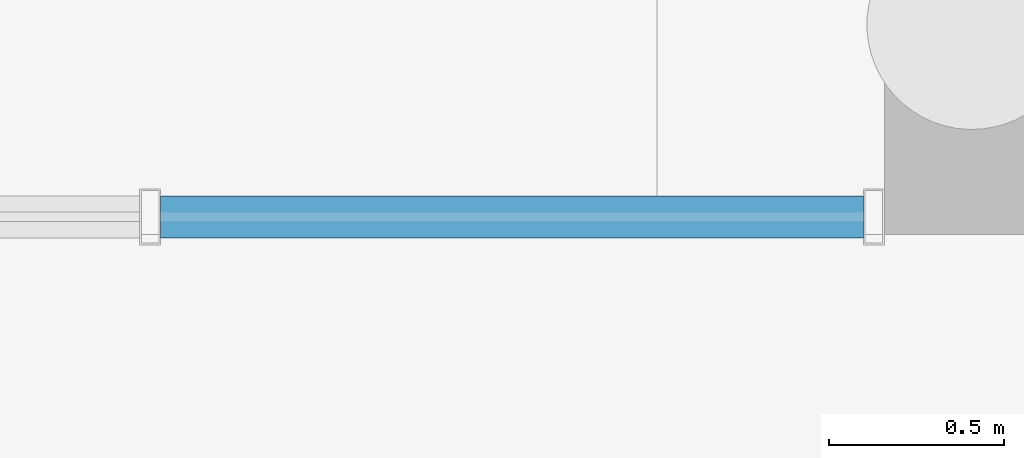
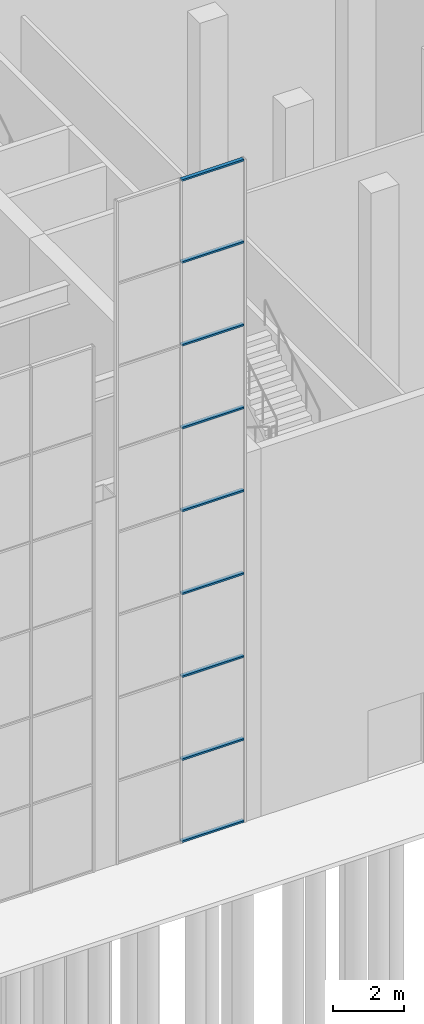
# One storey, part 34 of 58: 9 members, 1 element without a shape of its own.
"""IFC4 building model written with IfcOpenShell, lengths in metres."""

from ifc_helpers import new_model, si_unit, direction, frame, origin, origin_2d, place, context, subcontext, project, spatial, hollow_rectangle, extrude, material, layer, layer_set, material_profile, profile_set, type_object, element, aggregate, save


model = new_model("IFC4")

# Units and contexts
model_context = context("Model", 3, precision=1e-05, world=origin(), true_north=direction((0.0, 1.0)))
body_context = subcontext(model_context, "Body", "Model", "MODEL_VIEW")
ifc_project = project(units=[si_unit("LENGTHUNIT", "METRE"), si_unit("AREAUNIT", "SQUARE_METRE"), si_unit("VOLUMEUNIT", "CUBIC_METRE"), si_unit("PLANEANGLEUNIT", "RADIAN"), si_unit("MASSUNIT", "GRAM", prefix="KILO")], contexts=[model_context])

# Site, building, storey
site_placement = place(None, origin())
site = spatial("IfcSite", under=ifc_project, at=site_placement, CompositionType="ELEMENT")
building_placement = place(site_placement, origin())
building = spatial("IfcBuilding", under=site, at=building_placement, Name="Baori Bourse Tower", CompositionType="ELEMENT")
storey_placement = place(building_placement, origin())
storey = spatial("IfcBuildingStorey", under=building, at=storey_placement, Name="L00", CompositionType="ELEMENT", Elevation=0.0)

# Curtain wall, members
ifc_material_1 = material(Name="Pale anodised aluminium", Category="aluminium")
ifc_layer = layer(ifc_material_1, 0.10009765625)
ifc_layer_set = layer_set([ifc_layer], Name="Wing curtain wall")
curtain_wall_type = type_object("IfcCurtainWallType", Name="Wing curtain wall", PredefinedType="NOTDEFINED", material=ifc_layer_set)
curtain_wall_placement = place(storey_placement, origin())
curtain_wall = element("IfcCurtainWall", 1, at=curtain_wall_placement, inside=storey, type_object=curtain_wall_type, Name="wing/L00/hallcw/008", PredefinedType="NOTDEFINED")
ifc_material_2 = material(Name="Pale anodised aluminium", Category="aluminium")
ifc_material_profile = material_profile(ifc_material_2, hollow_rectangle(XDim=0.1201171875, YDim=0.06005859375, WallThickness=0.0048828125, at=origin_2d()), Name="Transom 120x60x5")
ifc_profile_set = profile_set([ifc_material_profile], Name="Pale anodised aluminium")
member_type = type_object("IfcMemberType", Name="Wing transom 120x60", PredefinedType="USERDEFINED", material=ifc_profile_set)
member_1_placement = place(storey_placement, frame((55.280029296875, -25.14990234375, 0.030029296875), z_axis=(1.0, 0.0, 0.0), x_axis=(0.0, 1.0, 0.0)))
member_1 = element("IfcMember", 2, at=member_1_placement, type_object=member_type, Name="X12 transom 2.1", ObjectType="TRANSOM", PredefinedType="USERDEFINED", context=body_context, shape_type="SweptSolid", body=[
    extrude(hollow_rectangle(XDim=0.1201171875, YDim=0.06005859375, WallThickness=0.0048828125, at=origin_2d()), origin(), (0.0, 0.0, 1.0), 2.010009765625),
])
member_2_placement = place(storey_placement, frame((55.280029296875, -25.14990234375, 2.83740234375), z_axis=(1.0, 0.0, 0.0), x_axis=(0.0, 1.0, 0.0)))
member_2 = element("IfcMember", 3, at=member_2_placement, type_object=member_type, Name="X12 transom 2.2", ObjectType="TRANSOM", PredefinedType="USERDEFINED", context=body_context, shape_type="SweptSolid", body=[
    extrude(hollow_rectangle(XDim=0.1201171875, YDim=0.06005859375, WallThickness=0.0048828125, at=origin_2d()), origin(), (0.0, 0.0, 1.0), 2.010009765625),
])
member_3_placement = place(storey_placement, frame((55.280029296875, -25.14990234375, 5.675048828125), z_axis=(1.0, 0.0, 0.0), x_axis=(0.0, 1.0, 0.0)))
member_3 = element("IfcMember", 4, at=member_3_placement, type_object=member_type, Name="X12 transom 2.3", ObjectType="TRANSOM", PredefinedType="USERDEFINED", context=body_context, shape_type="SweptSolid", body=[
    extrude(hollow_rectangle(XDim=0.1201171875, YDim=0.06005859375, WallThickness=0.0048828125, at=origin_2d()), origin(), (0.0, 0.0, 1.0), 2.010009765625),
])
member_4_placement = place(storey_placement, frame((55.280029296875, -25.14990234375, 8.512451171875), z_axis=(1.0, 0.0, 0.0), x_axis=(0.0, 1.0, 0.0)))
member_4 = element("IfcMember", 5, at=member_4_placement, type_object=member_type, Name="X12 transom 2.4", ObjectType="TRANSOM", PredefinedType="USERDEFINED", context=body_context, shape_type="SweptSolid", body=[
    extrude(hollow_rectangle(XDim=0.1201171875, YDim=0.06005859375, WallThickness=0.0048828125, at=origin_2d()), origin(), (0.0, 0.0, 1.0), 2.010009765625),
])
member_5_placement = place(storey_placement, frame((55.280029296875, -25.14990234375, 11.35009765625), z_axis=(1.0, 0.0, 0.0), x_axis=(0.0, 1.0, 0.0)))
member_5 = element("IfcMember", 6, at=member_5_placement, type_object=member_type, Name="X12 transom 2.5", ObjectType="TRANSOM", PredefinedType="USERDEFINED", context=body_context, shape_type="SweptSolid", body=[
    extrude(hollow_rectangle(XDim=0.1201171875, YDim=0.06005859375, WallThickness=0.0048828125, at=origin_2d()), origin(), (0.0, 0.0, 1.0), 2.010009765625),
])
member_6_placement = place(storey_placement, frame((55.280029296875, -25.14990234375, 14.1875), z_axis=(1.0, 0.0, 0.0), x_axis=(0.0, 1.0, 0.0)))
member_6 = element("IfcMember", 7, at=member_6_placement, type_object=member_type, Name="X12 transom 2.6", ObjectType="TRANSOM", PredefinedType="USERDEFINED", context=body_context, shape_type="SweptSolid", body=[
    extrude(hollow_rectangle(XDim=0.1201171875, YDim=0.06005859375, WallThickness=0.0048828125, at=origin_2d()), origin(), (0.0, 0.0, 1.0), 2.010009765625),
])
member_7_placement = place(storey_placement, frame((55.280029296875, -25.14990234375, 17.02490234375), z_axis=(1.0, 0.0, 0.0), x_axis=(0.0, 1.0, 0.0)))
member_7 = element("IfcMember", 8, at=member_7_placement, type_object=member_type, Name="X12 transom 2.7", ObjectType="TRANSOM", PredefinedType="USERDEFINED", context=body_context, shape_type="SweptSolid", body=[
    extrude(hollow_rectangle(XDim=0.1201171875, YDim=0.06005859375, WallThickness=0.0048828125, at=origin_2d()), origin(), (0.0, 0.0, 1.0), 2.010009765625),
])
member_8_placement = place(storey_placement, frame((55.280029296875, -25.14990234375, 19.862548828125), z_axis=(1.0, 0.0, 0.0), x_axis=(0.0, 1.0, 0.0)))
member_8 = element("IfcMember", 9, at=member_8_placement, type_object=member_type, Name="X12 transom 2.8", ObjectType="TRANSOM", PredefinedType="USERDEFINED", context=body_context, shape_type="SweptSolid", body=[
    extrude(hollow_rectangle(XDim=0.1201171875, YDim=0.06005859375, WallThickness=0.0048828125, at=origin_2d()), origin(), (0.0, 0.0, 1.0), 2.010009765625),
])
member_9_placement = place(storey_placement, frame((55.280029296875, -25.14990234375, 22.669921875), z_axis=(1.0, 0.0, 0.0), x_axis=(0.0, 1.0, 0.0)))
member_9 = element("IfcMember", 10, at=member_9_placement, type_object=member_type, Name="X12 transom 2.9", ObjectType="TRANSOM", PredefinedType="USERDEFINED", context=body_context, shape_type="SweptSolid", body=[
    extrude(hollow_rectangle(XDim=0.1201171875, YDim=0.06005859375, WallThickness=0.0048828125, at=origin_2d()), origin(), (0.0, 0.0, 1.0), 2.010009765625),
])
aggregate(curtain_wall, [member_1, member_2, member_3, member_4, member_5, member_6, member_7, member_8, member_9])

save(model, "model.ifc")
